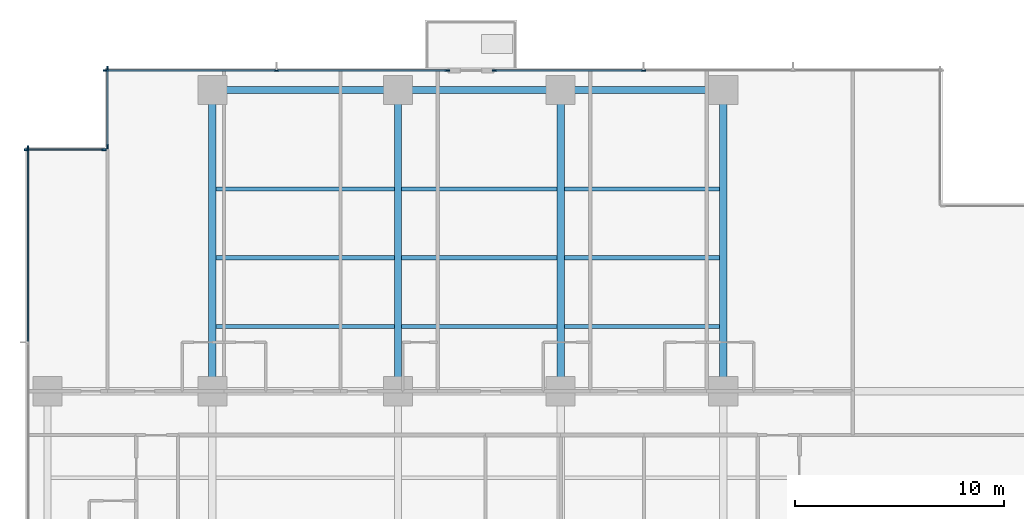
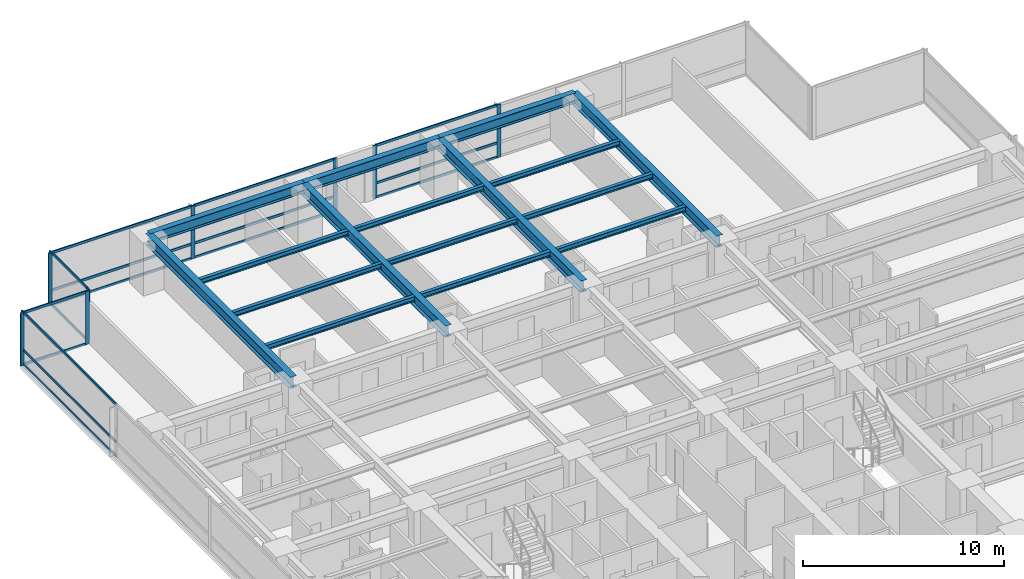
# One storey, part 4 of 17: 26 members, 16 beams, 5 elements without a shape of their own.
"""IFC4 building model written with IfcOpenShell, lengths in metres."""

from ifc_helpers import new_model, si_unit, direction, frame, origin, origin_2d, place, context, subcontext, project, spatial, rectangle, i_section, extrude, material, layer, layer_set, material_profile, profile_set, type_object, element, aggregate, save


model = new_model("IFC4")

# Units and contexts
model_context = context("Model", 3, precision=1e-05, world=origin(), true_north=direction((0.0, 1.0)))
body_context = subcontext(model_context, "Body", "Model", "MODEL_VIEW")
ifc_project = project(units=[si_unit("LENGTHUNIT", "METRE"), si_unit("AREAUNIT", "SQUARE_METRE"), si_unit("VOLUMEUNIT", "CUBIC_METRE"), si_unit("PLANEANGLEUNIT", "RADIAN"), si_unit("MASSUNIT", "GRAM", prefix="KILO")], contexts=[model_context])

# Site, building, storey
site_placement = place(None, origin())
site = spatial("IfcSite", under=ifc_project, at=site_placement, CompositionType="ELEMENT")
building_placement = place(site_placement, origin())
building = spatial("IfcBuilding", under=site, at=building_placement, Name="Qalmaran Belvedere Hotel", CompositionType="ELEMENT")
storey_placement = place(building_placement, frame((0.0, 0.0, 61.39990234375)))
storey = spatial("IfcBuildingStorey", under=building, at=storey_placement, Name="L15", CompositionType="ELEMENT", Elevation=61.39990234375)

# Beams
ifc_material_1 = material(Name="Steel S355JR", Category="steel")
ifc_material_profile_1 = material_profile(ifc_material_1, i_section(OverallWidth=0.202880859375, OverallDepth=0.302978515625, WebThickness=0.007568359375, FlangeThickness=0.01318359375, FilletRadius=0.012939453125, at=origin_2d()), Name="W310X60")
ifc_profile_set_1 = profile_set([ifc_material_profile_1], Name="Steel S355JR")
beam_type_1 = type_object("IfcBeamType", Name="BM-JST-W310X60", PredefinedType="JOIST", material=ifc_profile_set_1)
beam_1_placement = place(storey_placement, frame((20.4755859375, 36.10009765625, 3.068603515625), z_axis=(1.0, 0.0, 0.0), x_axis=(0.0, 1.0, 0.0)))
element("IfcBeam", 1, at=beam_1_placement, inside=storey, type_object=beam_type_1, Name="L15 North Floor Joist 042", PredefinedType="JOIST", context=body_context, shape_type="SweptSolid", body=[
    extrude(i_section(OverallWidth=0.202880859375, OverallDepth=0.302978515625, WebThickness=0.007568359375, FlangeThickness=0.01318359375, FilletRadius=0.012939453125, at=origin_2d()), origin(), (0.0, 0.0, 1.0), 8.548828125),
])
for number, where, z_axis, x_axis, name in (
    (2, (29.37548828125, 36.10009765625, 3.068603515625), (1.0, 0.0, 0.0), (0.0, 1.0, 0.0), "L15 North Floor Joist 043"),
    (3, (37.175537109375, 36.10009765625, 3.068603515625), (1.0, 0.0, 0.0), (0.0, 1.0, 0.0), "L15 North Floor Joist 044"),
):
    element("IfcBeam", number, at=place(storey_placement, frame(where, z_axis=z_axis, x_axis=x_axis)), inside=storey, type_object=beam_type_1, Name=name, PredefinedType="JOIST", context=body_context, shape_type="SweptSolid", body=[
        extrude(i_section(OverallWidth=0.202880859375, OverallDepth=0.302978515625, WebThickness=0.007568359375, FlangeThickness=0.01318359375, FilletRadius=0.012939453125, at=origin_2d()), origin(), (0.0, 0.0, 1.0), 7.448974609375),
    ])
beam_2_placement = place(storey_placement, frame((20.4755859375, 39.39990234375, 3.068603515625), z_axis=(1.0, 0.0, 0.0), x_axis=(0.0, 1.0, 0.0)))
element("IfcBeam", 4, at=beam_2_placement, inside=storey, type_object=beam_type_1, Name="L15 North Floor Joist 045", PredefinedType="JOIST", context=body_context, shape_type="SweptSolid", body=[
    extrude(i_section(OverallWidth=0.202880859375, OverallDepth=0.302978515625, WebThickness=0.007568359375, FlangeThickness=0.01318359375, FilletRadius=0.012939453125, at=origin_2d()), origin(), (0.0, 0.0, 1.0), 8.548828125),
])
for number, where, z_axis, x_axis, name in (
    (5, (29.37548828125, 39.39990234375, 3.068603515625), (1.0, 0.0, 0.0), (0.0, 1.0, 0.0), "L15 North Floor Joist 046"),
    (6, (37.175537109375, 39.39990234375, 3.068603515625), (1.0, 0.0, 0.0), (0.0, 1.0, 0.0), "L15 North Floor Joist 047"),
):
    element("IfcBeam", number, at=place(storey_placement, frame(where, z_axis=z_axis, x_axis=x_axis)), inside=storey, type_object=beam_type_1, Name=name, PredefinedType="JOIST", context=body_context, shape_type="SweptSolid", body=[
        extrude(i_section(OverallWidth=0.202880859375, OverallDepth=0.302978515625, WebThickness=0.007568359375, FlangeThickness=0.01318359375, FilletRadius=0.012939453125, at=origin_2d()), origin(), (0.0, 0.0, 1.0), 7.448974609375),
    ])
beam_3_placement = place(storey_placement, frame((20.4755859375, 42.699951171875, 3.068603515625), z_axis=(1.0, 0.0, 0.0), x_axis=(0.0, 1.0, 0.0)))
element("IfcBeam", 7, at=beam_3_placement, inside=storey, type_object=beam_type_1, Name="L15 North Floor Joist 048", PredefinedType="JOIST", context=body_context, shape_type="SweptSolid", body=[
    extrude(i_section(OverallWidth=0.202880859375, OverallDepth=0.302978515625, WebThickness=0.007568359375, FlangeThickness=0.01318359375, FilletRadius=0.012939453125, at=origin_2d()), origin(), (0.0, 0.0, 1.0), 8.548828125),
])
for number, where, z_axis, x_axis, name in (
    (8, (29.37548828125, 42.699951171875, 3.068603515625), (1.0, 0.0, 0.0), (0.0, 1.0, 0.0), "L15 North Floor Joist 049"),
    (9, (37.175537109375, 42.699951171875, 3.068603515625), (1.0, 0.0, 0.0), (0.0, 1.0, 0.0), "L15 North Floor Joist 050"),
):
    element("IfcBeam", number, at=place(storey_placement, frame(where, z_axis=z_axis, x_axis=x_axis)), inside=storey, type_object=beam_type_1, Name=name, PredefinedType="JOIST", context=body_context, shape_type="SweptSolid", body=[
        extrude(i_section(OverallWidth=0.202880859375, OverallDepth=0.302978515625, WebThickness=0.007568359375, FlangeThickness=0.01318359375, FilletRadius=0.012939453125, at=origin_2d()), origin(), (0.0, 0.0, 1.0), 7.448974609375),
    ])
ifc_material_profile_2 = material_profile(ifc_material_1, i_section(OverallWidth=0.326904296875, OverallDepth=0.6220703125, WebThickness=0.015380859375, FlangeThickness=0.0244140625, FilletRadius=0.02001953125, at=origin_2d()), Name="W610X195")
ifc_profile_set_2 = profile_set([ifc_material_profile_2], Name="Steel S355JR")
beam_type_2 = type_object("IfcBeamType", Name="BM-SP1-W610X195", PredefinedType="SPANDREL", material=ifc_profile_set_2)
beam_4_placement = place(storey_placement, frame((20.300048828125, 47.449951171875, 2.9091796875), z_axis=(1.0, 0.0, 0.0), x_axis=(0.0, 1.0, 0.0)))
element("IfcBeam", 10, at=beam_4_placement, inside=storey, type_object=beam_type_2, Name="L15 Perimeter Spandrel 05", PredefinedType="SPANDREL", context=body_context, shape_type="SweptSolid", body=[
    extrude(i_section(OverallWidth=0.326904296875, OverallDepth=0.6220703125, WebThickness=0.015380859375, FlangeThickness=0.0244140625, FilletRadius=0.02001953125, at=origin_2d()), origin(), (0.0, 0.0, 1.0), 8.89990234375),
])
for number, where, z_axis, x_axis, name in (
    (11, (29.199951171875, 47.449951171875, 2.9091796875), (1.0, 0.0, 0.0), (0.0, 1.0, 0.0), "L15 Perimeter Spandrel 06"),
    (12, (37.0, 47.449951171875, 2.9091796875), (1.0, 0.0, 0.0), (0.0, 1.0, 0.0), "L15 Perimeter Spandrel 07"),
):
    element("IfcBeam", number, at=place(storey_placement, frame(where, z_axis=z_axis, x_axis=x_axis)), inside=storey, type_object=beam_type_2, Name=name, PredefinedType="SPANDREL", context=body_context, shape_type="SweptSolid", body=[
        extrude(i_section(OverallWidth=0.326904296875, OverallDepth=0.6220703125, WebThickness=0.015380859375, FlangeThickness=0.0244140625, FilletRadius=0.02001953125, at=origin_2d()), origin(), (0.0, 0.0, 1.0), 7.800048828125),
    ])
ifc_material_profile_3 = material_profile(ifc_material_1, i_section(OverallWidth=0.35498046875, OverallDepth=0.695068359375, WebThickness=0.015380859375, FlangeThickness=0.02490234375, FilletRadius=0.02197265625, at=origin_2d()), Name="W690X217")
ifc_profile_set_3 = profile_set([ifc_material_profile_3], Name="Steel S355JR")
beam_type_3 = type_object("IfcBeamType", Name="BM-Z1-W690X217", PredefinedType="USERDEFINED", material=ifc_profile_set_3)
for number, where, z_axis, x_axis, name in (
    (13, (20.300048828125, 33.0, 2.87255859375), (0.0, 1.0, 0.0), (-1.0, 0.0, 0.0), "L15 North Bay Girder 15"),
    (14, (29.199951171875, 33.0, 2.87255859375), (0.0, 1.0, 0.0), (-1.0, 0.0, 0.0), "L15 North Bay Girder 17"),
    (15, (37.0, 33.0, 2.87255859375), (0.0, 1.0, 0.0), (-1.0, 0.0, 0.0), "L15 North Bay Girder 19"),
    (16, (44.800048828125, 33.0, 2.87255859375), (0.0, 1.0, 0.0), (-1.0, 0.0, 0.0), "L15 North Bay Girder 21"),
):
    element("IfcBeam", number, at=place(storey_placement, frame(where, z_axis=z_axis, x_axis=x_axis)), inside=storey, type_object=beam_type_3, Name=name, ObjectType="GIRDER", PredefinedType="USERDEFINED", context=body_context, shape_type="SweptSolid", body=[
        extrude(i_section(OverallWidth=0.35498046875, OverallDepth=0.695068359375, WebThickness=0.015380859375, FlangeThickness=0.02490234375, FilletRadius=0.02197265625, at=origin_2d()), origin(), (0.0, 0.0, 1.0), 14.449951171875),
    ])

# Curtain wall, members
ifc_material_2 = material(Name="Anodised Bronze Aluminium", Category="aluminium")
ifc_layer = layer(ifc_material_2, 0.2099609375, Name="Anodised Bronze Aluminium")
ifc_layer_set = layer_set([ifc_layer], Name="Anodised Bronze Aluminium")
curtain_wall_type = type_object("IfcCurtainWallType", Name="CW2-TOWER-LOWER", PredefinedType="NOTDEFINED", material=ifc_layer_set)
curtain_wall_1_placement = place(storey_placement, origin())
curtain_wall_1 = element("IfcCurtainWall", 17, at=curtain_wall_1_placement, inside=storey, type_object=curtain_wall_type, Name="L15 Curtain Wall CW2", PredefinedType="NOTDEFINED")
ifc_material_profile_4 = material_profile(ifc_material_2, rectangle(XDim=0.074951171875, YDim=0.219970703125, at=origin_2d()), Name="CWM75X220")
ifc_profile_set_4 = profile_set([ifc_material_profile_4], Name="Anodised Bronze Aluminium")
member_type_1 = type_object("IfcMemberType", Name="CWM-75X220", PredefinedType="MULLION", material=ifc_profile_set_4)
member_1_placement = place(storey_placement, frame((31.5625, 48.3798828125, 0.0), z_axis=(0.0, 0.0, 1.0), x_axis=(0.0, -1.0, 0.0)))
member_1 = element("IfcMember", 18, at=member_1_placement, type_object=member_type_1, Name="CW2 mullion 1", PredefinedType="MULLION", context=body_context, shape_type="SweptSolid", body=[
    extrude(rectangle(XDim=0.074951171875, YDim=0.219970703125, at=origin_2d()), origin(), (0.0, 0.0, 1.0), 3.22021484375),
])
member_2_placement = place(storey_placement, frame((23.375, 48.3798828125, 0.0), z_axis=(0.0, 0.0, 1.0), x_axis=(0.0, -1.0, 0.0)))
member_2 = element("IfcMember", 19, at=member_2_placement, type_object=member_type_1, Name="CW2 mullion 2", PredefinedType="MULLION", context=body_context, shape_type="SweptSolid", body=[
    extrude(rectangle(XDim=0.074951171875, YDim=0.219970703125, at=origin_2d()), origin(), (0.0, 0.0, 1.0), 3.22021484375),
])
member_3_placement = place(storey_placement, frame((15.1875, 48.3798828125, 0.0), z_axis=(0.0, 0.0, 1.0), x_axis=(0.0, -1.0, 0.0)))
member_3 = element("IfcMember", 20, at=member_3_placement, type_object=member_type_1, Name="CW2 mullion 3", PredefinedType="MULLION", context=body_context, shape_type="SweptSolid", body=[
    extrude(rectangle(XDim=0.074951171875, YDim=0.219970703125, at=origin_2d()), origin(), (0.0, 0.0, 1.0), 3.22021484375),
])

curtain_wall_2_placement = place(storey_placement, origin())
curtain_wall_2 = element("IfcCurtainWall", 21, at=curtain_wall_2_placement, inside=storey, type_object=curtain_wall_type, Name="L15 Curtain Wall CW2", PredefinedType="NOTDEFINED")
member_4_placement = place(storey_placement, frame((40.966552734375, 48.3798828125, 0.0), z_axis=(0.0, 0.0, 1.0), x_axis=(0.0, -1.0, 0.0)))
member_4 = element("IfcMember", 22, at=member_4_placement, type_object=member_type_1, Name="CW2 mullion 3", PredefinedType="MULLION", context=body_context, shape_type="SweptSolid", body=[
    extrude(rectangle(XDim=0.074951171875, YDim=0.219970703125, at=origin_2d()), origin(), (0.0, 0.0, 1.0), 3.22021484375),
])
member_5_placement = place(storey_placement, frame((33.83740234375, 48.3798828125, 0.0), z_axis=(0.0, 0.0, 1.0), x_axis=(0.0, -1.0, 0.0)))
member_5 = element("IfcMember", 23, at=member_5_placement, type_object=member_type_1, Name="CW2 mullion 4", PredefinedType="MULLION", context=body_context, shape_type="SweptSolid", body=[
    extrude(rectangle(XDim=0.074951171875, YDim=0.219970703125, at=origin_2d()), origin(), (0.0, 0.0, 1.0), 3.22021484375),
])

curtain_wall_3_placement = place(storey_placement, origin())
curtain_wall_3 = element("IfcCurtainWall", 24, at=curtain_wall_3_placement, inside=storey, type_object=curtain_wall_type, Name="L15 Curtain Wall CW2", PredefinedType="NOTDEFINED")
member_6_placement = place(storey_placement, frame((15.27001953125, 48.46240234375, 0.0), z_axis=(0.0, 0.0, 1.0), x_axis=(1.0, 0.0, 0.0)))
member_6 = element("IfcMember", 25, at=member_6_placement, type_object=member_type_1, Name="CW2 mullion 1", PredefinedType="MULLION", context=body_context, shape_type="SweptSolid", body=[
    extrude(rectangle(XDim=0.074951171875, YDim=0.219970703125, at=origin_2d()), origin(), (0.0, 0.0, 1.0), 3.22021484375),
])
member_7_placement = place(storey_placement, frame((15.27001953125, 44.737548828125, 0.0), z_axis=(0.0, 0.0, 1.0), x_axis=(1.0, 0.0, 0.0)))
member_7 = element("IfcMember", 26, at=member_7_placement, type_object=member_type_1, Name="CW2 mullion 2", PredefinedType="MULLION", context=body_context, shape_type="SweptSolid", body=[
    extrude(rectangle(XDim=0.074951171875, YDim=0.219970703125, at=origin_2d()), origin(), (0.0, 0.0, 1.0), 3.22021484375),
])

curtain_wall_4_placement = place(storey_placement, origin())
curtain_wall_4 = element("IfcCurtainWall", 27, at=curtain_wall_4_placement, inside=storey, type_object=curtain_wall_type, Name="L15 Curtain Wall CW2", PredefinedType="NOTDEFINED")
member_8_placement = place(storey_placement, frame((15.112548828125, 44.580078125, 0.0), z_axis=(0.0, 0.0, 1.0), x_axis=(0.0, -1.0, 0.0)))
member_8 = element("IfcMember", 28, at=member_8_placement, type_object=member_type_1, Name="CW2 mullion 1", PredefinedType="MULLION", context=body_context, shape_type="SweptSolid", body=[
    extrude(rectangle(XDim=0.074951171875, YDim=0.219970703125, at=origin_2d()), origin(), (0.0, 0.0, 1.0), 3.22021484375),
])
member_9_placement = place(storey_placement, frame((11.387451171875, 44.580078125, 0.0), z_axis=(0.0, 0.0, 1.0), x_axis=(0.0, -1.0, 0.0)))
member_9 = element("IfcMember", 29, at=member_9_placement, type_object=member_type_1, Name="CW2 mullion 2", PredefinedType="MULLION", context=body_context, shape_type="SweptSolid", body=[
    extrude(rectangle(XDim=0.074951171875, YDim=0.219970703125, at=origin_2d()), origin(), (0.0, 0.0, 1.0), 3.22021484375),
])

# Curtain wall, member
curtain_wall_5_placement = place(storey_placement, origin())
curtain_wall_5 = element("IfcCurtainWall", 30, at=curtain_wall_5_placement, inside=storey, type_object=curtain_wall_type, Name="L15 Curtain Wall CW2", PredefinedType="NOTDEFINED")
member_10_placement = place(storey_placement, frame((11.469970703125, 44.66259765625, 0.0), z_axis=(0.0, 0.0, 1.0), x_axis=(1.0, 0.0, 0.0)))
member_10 = element("IfcMember", 31, at=member_10_placement, type_object=member_type_1, Name="CW2 mullion 1", PredefinedType="MULLION", context=body_context, shape_type="SweptSolid", body=[
    extrude(rectangle(XDim=0.074951171875, YDim=0.219970703125, at=origin_2d()), origin(), (0.0, 0.0, 1.0), 3.22021484375),
])

# Member
ifc_material_profile_5 = material_profile(ifc_material_2, rectangle(XDim=0.070068359375, YDim=0.14990234375, at=origin_2d()), Name="CWT70X150")
ifc_profile_set_5 = profile_set([ifc_material_profile_5], Name="Anodised Bronze Aluminium")
member_type_2 = type_object("IfcMemberType", Name="CWT-70X150", PredefinedType="USERDEFINED", material=ifc_profile_set_5)
member_11_placement = place(storey_placement, frame((31.52490234375, 48.3798828125, 0.03515625), z_axis=(-1.0, 0.0, 0.0), x_axis=(0.0, -1.0, 0.0)))
member_11 = element("IfcMember", 32, at=member_11_placement, type_object=member_type_2, Name="CW2 transom 1.1", ObjectType="TRANSOM", PredefinedType="USERDEFINED", context=body_context, shape_type="SweptSolid", body=[
    extrude(rectangle(XDim=0.070068359375, YDim=0.14990234375, at=origin_2d()), origin(), (0.0, 0.0, 1.0), 8.1123046875),
])

member_12_placement = place(storey_placement, frame((31.52490234375, 48.3798828125, 0.901611328125), z_axis=(-1.0, 0.0, 0.0), x_axis=(0.0, -1.0, 0.0)))
member_12 = element("IfcMember", 33, at=member_12_placement, type_object=member_type_2, Name="CW2 transom 1.2", ObjectType="TRANSOM", PredefinedType="USERDEFINED", context=body_context, shape_type="SweptSolid", body=[
    extrude(rectangle(XDim=0.070068359375, YDim=0.14990234375, at=origin_2d()), origin(), (0.0, 0.0, 1.0), 8.1123046875),
])

member_13_placement = place(storey_placement, frame((31.52490234375, 48.3798828125, 3.18505859375), z_axis=(-1.0, 0.0, 0.0), x_axis=(0.0, -1.0, 0.0)))
member_13 = element("IfcMember", 34, at=member_13_placement, type_object=member_type_2, Name="CW2 transom 1.3", ObjectType="TRANSOM", PredefinedType="USERDEFINED", context=body_context, shape_type="SweptSolid", body=[
    extrude(rectangle(XDim=0.070068359375, YDim=0.14990234375, at=origin_2d()), origin(), (0.0, 0.0, 1.0), 8.1123046875),
])

member_14_placement = place(storey_placement, frame((23.33740234375, 48.3798828125, 0.03515625), z_axis=(-1.0, 0.0, 0.0), x_axis=(0.0, -1.0, 0.0)))
member_14 = element("IfcMember", 35, at=member_14_placement, type_object=member_type_2, Name="CW2 transom 2.1", ObjectType="TRANSOM", PredefinedType="USERDEFINED", context=body_context, shape_type="SweptSolid", body=[
    extrude(rectangle(XDim=0.070068359375, YDim=0.14990234375, at=origin_2d()), origin(), (0.0, 0.0, 1.0), 8.1123046875),
])

member_15_placement = place(storey_placement, frame((23.33740234375, 48.3798828125, 0.901611328125), z_axis=(-1.0, 0.0, 0.0), x_axis=(0.0, -1.0, 0.0)))
member_15 = element("IfcMember", 36, at=member_15_placement, type_object=member_type_2, Name="CW2 transom 2.2", ObjectType="TRANSOM", PredefinedType="USERDEFINED", context=body_context, shape_type="SweptSolid", body=[
    extrude(rectangle(XDim=0.070068359375, YDim=0.14990234375, at=origin_2d()), origin(), (0.0, 0.0, 1.0), 8.1123046875),
])

member_16_placement = place(storey_placement, frame((23.33740234375, 48.3798828125, 3.18505859375), z_axis=(-1.0, 0.0, 0.0), x_axis=(0.0, -1.0, 0.0)))
member_16 = element("IfcMember", 37, at=member_16_placement, type_object=member_type_2, Name="CW2 transom 2.3", ObjectType="TRANSOM", PredefinedType="USERDEFINED", context=body_context, shape_type="SweptSolid", body=[
    extrude(rectangle(XDim=0.070068359375, YDim=0.14990234375, at=origin_2d()), origin(), (0.0, 0.0, 1.0), 8.1123046875),
])

aggregate(curtain_wall_1, [member_1, member_2, member_3, member_11, member_12, member_13, member_14, member_15, member_16])

member_17_placement = place(storey_placement, frame((40.92919921875, 48.3798828125, 0.03515625), z_axis=(-1.0, 0.0, 0.0), x_axis=(0.0, -1.0, 0.0)))
member_17 = element("IfcMember", 38, at=member_17_placement, type_object=member_type_2, Name="CW2 transom 3.1", ObjectType="TRANSOM", PredefinedType="USERDEFINED", context=body_context, shape_type="SweptSolid", body=[
    extrude(rectangle(XDim=0.070068359375, YDim=0.14990234375, at=origin_2d()), origin(), (0.0, 0.0, 1.0), 7.05419921875),
])

member_18_placement = place(storey_placement, frame((40.92919921875, 48.3798828125, 0.901611328125), z_axis=(-1.0, 0.0, 0.0), x_axis=(0.0, -1.0, 0.0)))
member_18 = element("IfcMember", 39, at=member_18_placement, type_object=member_type_2, Name="CW2 transom 3.2", ObjectType="TRANSOM", PredefinedType="USERDEFINED", context=body_context, shape_type="SweptSolid", body=[
    extrude(rectangle(XDim=0.070068359375, YDim=0.14990234375, at=origin_2d()), origin(), (0.0, 0.0, 1.0), 7.05419921875),
])

member_19_placement = place(storey_placement, frame((40.92919921875, 48.3798828125, 3.18505859375), z_axis=(-1.0, 0.0, 0.0), x_axis=(0.0, -1.0, 0.0)))
member_19 = element("IfcMember", 40, at=member_19_placement, type_object=member_type_2, Name="CW2 transom 3.3", ObjectType="TRANSOM", PredefinedType="USERDEFINED", context=body_context, shape_type="SweptSolid", body=[
    extrude(rectangle(XDim=0.070068359375, YDim=0.14990234375, at=origin_2d()), origin(), (0.0, 0.0, 1.0), 7.05419921875),
])

aggregate(curtain_wall_2, [member_4, member_5, member_17, member_18, member_19])

member_20_placement = place(storey_placement, frame((15.27001953125, 48.425048828125, 0.03515625), z_axis=(0.0, -1.0, 0.0), x_axis=(1.0, 0.0, 0.0)))
member_20 = element("IfcMember", 41, at=member_20_placement, type_object=member_type_2, Name="CW2 transom 1.1", ObjectType="TRANSOM", PredefinedType="USERDEFINED", context=body_context, shape_type="SweptSolid", body=[
    extrude(rectangle(XDim=0.070068359375, YDim=0.14990234375, at=origin_2d()), origin(), (0.0, 0.0, 1.0), 3.650146484375),
])

member_21_placement = place(storey_placement, frame((15.27001953125, 48.425048828125, 3.18505859375), z_axis=(0.0, -1.0, 0.0), x_axis=(1.0, 0.0, 0.0)))
member_21 = element("IfcMember", 42, at=member_21_placement, type_object=member_type_2, Name="CW2 transom 1.2", ObjectType="TRANSOM", PredefinedType="USERDEFINED", context=body_context, shape_type="SweptSolid", body=[
    extrude(rectangle(XDim=0.070068359375, YDim=0.14990234375, at=origin_2d()), origin(), (0.0, 0.0, 1.0), 3.650146484375),
])

aggregate(curtain_wall_3, [member_6, member_7, member_20, member_21])

member_22_placement = place(storey_placement, frame((15.074951171875, 44.580078125, 0.03515625), z_axis=(-1.0, 0.0, 0.0), x_axis=(0.0, -1.0, 0.0)))
member_22 = element("IfcMember", 43, at=member_22_placement, type_object=member_type_2, Name="CW2 transom 1.1", ObjectType="TRANSOM", PredefinedType="USERDEFINED", context=body_context, shape_type="SweptSolid", body=[
    extrude(rectangle(XDim=0.070068359375, YDim=0.14990234375, at=origin_2d()), origin(), (0.0, 0.0, 1.0), 3.64990234375),
])

member_23_placement = place(storey_placement, frame((15.074951171875, 44.580078125, 3.18505859375), z_axis=(-1.0, 0.0, 0.0), x_axis=(0.0, -1.0, 0.0)))
member_23 = element("IfcMember", 44, at=member_23_placement, type_object=member_type_2, Name="CW2 transom 1.2", ObjectType="TRANSOM", PredefinedType="USERDEFINED", context=body_context, shape_type="SweptSolid", body=[
    extrude(rectangle(XDim=0.070068359375, YDim=0.14990234375, at=origin_2d()), origin(), (0.0, 0.0, 1.0), 3.64990234375),
])

aggregate(curtain_wall_4, [member_8, member_9, member_22, member_23])

member_24_placement = place(storey_placement, frame((11.469970703125, 44.625, 0.03515625), z_axis=(0.0, -1.0, 0.0), x_axis=(1.0, 0.0, 0.0)))
member_24 = element("IfcMember", 45, at=member_24_placement, type_object=member_type_2, Name="CW2 transom 1.1", ObjectType="TRANSOM", PredefinedType="USERDEFINED", context=body_context, shape_type="SweptSolid", body=[
    extrude(rectangle(XDim=0.070068359375, YDim=0.14990234375, at=origin_2d()), origin(), (0.0, 0.0, 1.0), 9.237548828125),
])

member_25_placement = place(storey_placement, frame((11.469970703125, 44.625, 0.901611328125), z_axis=(0.0, -1.0, 0.0), x_axis=(1.0, 0.0, 0.0)))
member_25 = element("IfcMember", 46, at=member_25_placement, type_object=member_type_2, Name="CW2 transom 1.2", ObjectType="TRANSOM", PredefinedType="USERDEFINED", context=body_context, shape_type="SweptSolid", body=[
    extrude(rectangle(XDim=0.070068359375, YDim=0.14990234375, at=origin_2d()), origin(), (0.0, 0.0, 1.0), 9.237548828125),
])

member_26_placement = place(storey_placement, frame((11.469970703125, 44.625, 3.18505859375), z_axis=(0.0, -1.0, 0.0), x_axis=(1.0, 0.0, 0.0)))
member_26 = element("IfcMember", 47, at=member_26_placement, type_object=member_type_2, Name="CW2 transom 1.3", ObjectType="TRANSOM", PredefinedType="USERDEFINED", context=body_context, shape_type="SweptSolid", body=[
    extrude(rectangle(XDim=0.070068359375, YDim=0.14990234375, at=origin_2d()), origin(), (0.0, 0.0, 1.0), 9.237548828125),
])

aggregate(curtain_wall_5, [member_10, member_24, member_25, member_26])

save(model, "model.ifc")
